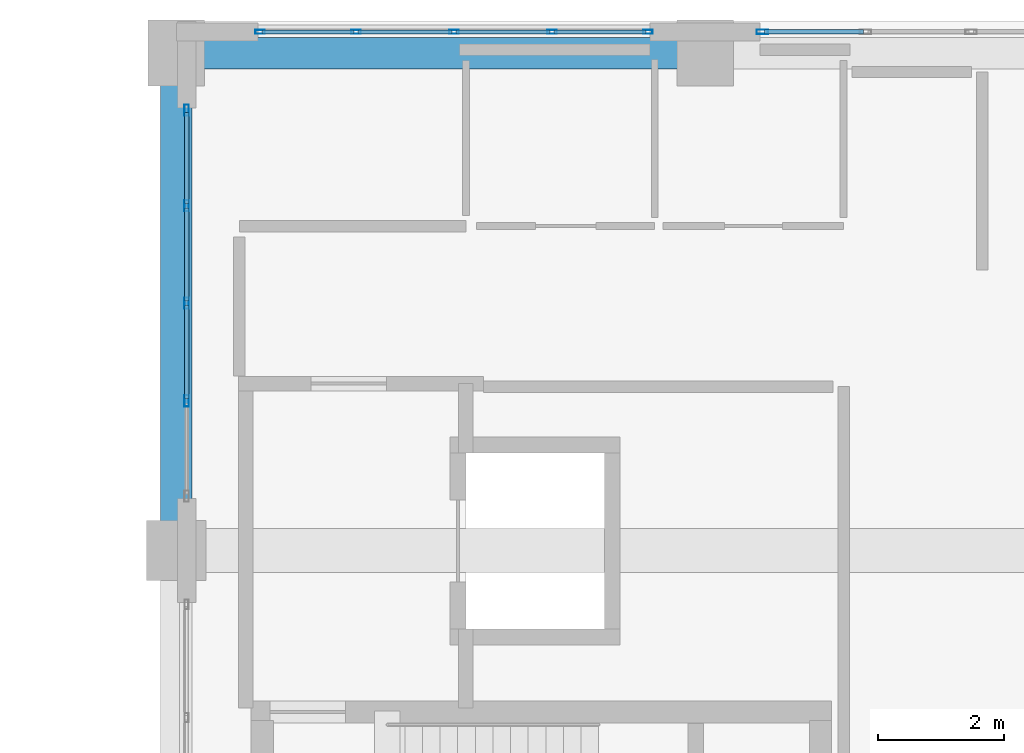
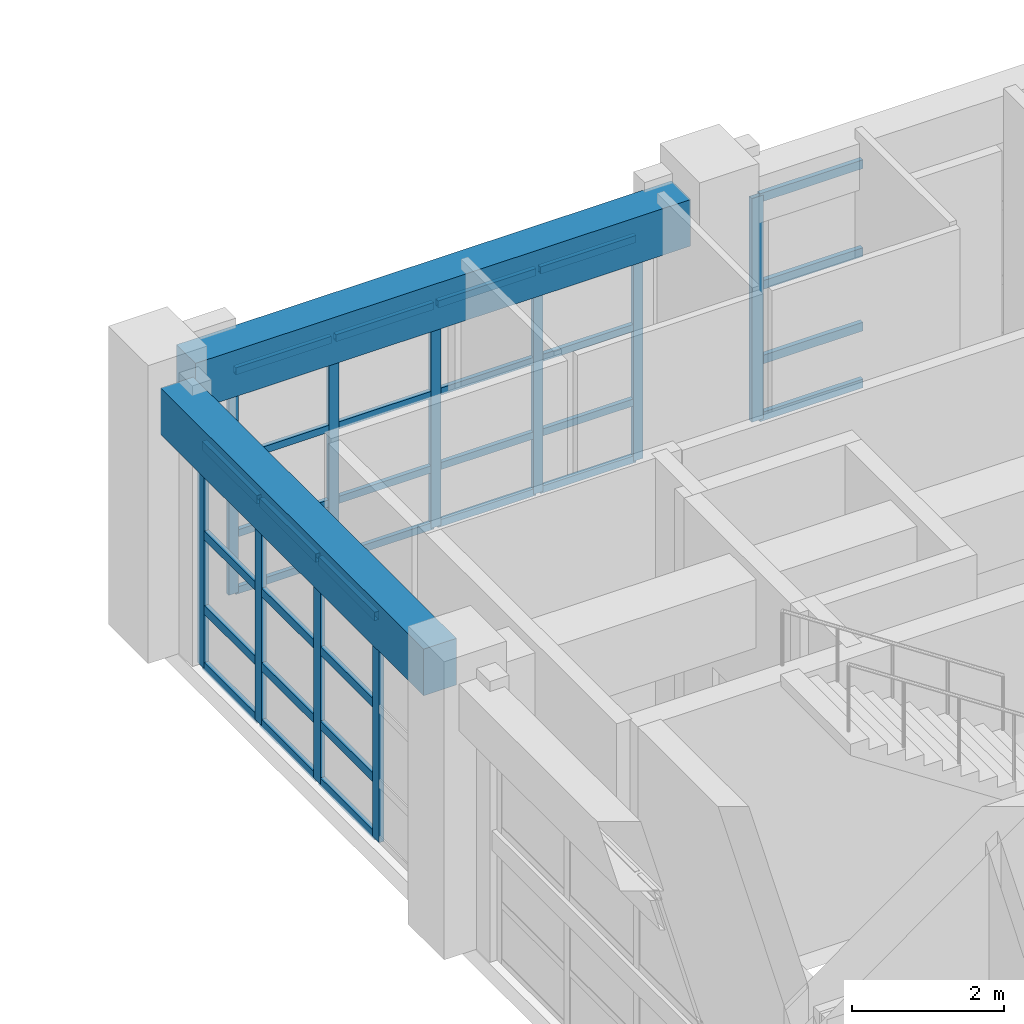
# One storey, part 45 of 123: 42 members, 2 beams, 3 elements without a shape of their own.
"""IFC4 building model written with IfcOpenShell, lengths in metres."""

from ifc_helpers import new_model, si_unit, direction, frame, origin, origin_2d, place, context, subcontext, project, spatial, rectangle, hollow_rectangle, extrude, material, layer, layer_set, material_profile, profile_set, type_object, element, aggregate, save


model = new_model("IFC4")

# Units and contexts
model_context = context("Model", 3, precision=1e-05, world=origin(), true_north=direction((0.0, 1.0)))
body_context = subcontext(model_context, "Body", "Model", "MODEL_VIEW")
ifc_project = project(units=[si_unit("LENGTHUNIT", "METRE"), si_unit("AREAUNIT", "SQUARE_METRE"), si_unit("VOLUMEUNIT", "CUBIC_METRE"), si_unit("PLANEANGLEUNIT", "RADIAN"), si_unit("MASSUNIT", "GRAM", prefix="KILO")], contexts=[model_context])

# Site, building, storey
site_placement = place(None, origin())
site = spatial("IfcSite", under=ifc_project, at=site_placement, CompositionType="ELEMENT")
building_placement = place(site_placement, origin())
building = spatial("IfcBuilding", under=site, at=building_placement, Name="Quendrovan Civic Courthouse", CompositionType="ELEMENT")
storey_placement = place(building_placement, frame((0.0, 0.0, 5.39990234375)))
storey = spatial("IfcBuildingStorey", under=building, at=storey_placement, Name="L02", CompositionType="ELEMENT", Elevation=5.39990234375)

# Beams
ifc_material_1 = material(Name="Concrete C40/50", Category="concrete")
ifc_material_profile_1 = material_profile(ifc_material_1, rectangle(XDim=0.5, YDim=0.75, at=origin_2d()), Name="RC-BM-500x750")
ifc_profile_set_1 = profile_set([ifc_material_profile_1], Name="Concrete C40/50")
beam_type = type_object("IfcBeamType", Name="BM-RC750", PredefinedType="SPANDREL", material=ifc_profile_set_1)
beam_1_placement = place(storey_placement, frame((34.030029296875, 109.89990234375, 3.985107421875), z_axis=(1.0, 0.0, 0.0), x_axis=(0.0, 1.0, 0.0)))
element("IfcBeam", 1, at=beam_1_placement, inside=storey, type_object=beam_type, Name="L02 Girder X0591", PredefinedType="SPANDREL", context=body_context, shape_type="SweptSolid", body=[
    extrude(rectangle(XDim=0.5, YDim=0.75, at=origin_2d()), origin(), (0.0, 0.0, 1.0), 7.5400390625),
])
beam_2_placement = place(storey_placement, frame((33.60009765625, 102.455078125, 3.985107421875), z_axis=(0.0, 1.0, 0.0), x_axis=(-1.0, 0.0, 0.0)))
element("IfcBeam", 2, at=beam_2_placement, inside=storey, type_object=beam_type, Name="L02 Girder Y0642", PredefinedType="SPANDREL", context=body_context, shape_type="SweptSolid", body=[
    extrude(rectangle(XDim=0.5, YDim=0.75, at=origin_2d()), origin(), (0.0, 0.0, 1.0), 6.93994140625),
])

# Curtain wall, members
ifc_material_2 = material(Name="Bronze anodised aluminium and low-E glass", Category="aluminium")
ifc_layer_1 = layer(ifc_material_2, 0.179931640625, Name="Bronze anodised aluminium and low-E glass")
ifc_layer_set_1 = layer_set([ifc_layer_1], Name="Bronze anodised aluminium and low-E glass")
curtain_wall_type_1 = type_object("IfcCurtainWallType", Name="CW-U62x36", PredefinedType="USERDEFINED", material=ifc_layer_set_1)
curtain_wall_1_placement = place(storey_placement, origin())
curtain_wall_1 = element("IfcCurtainWall", 3, at=curtain_wall_1_placement, inside=storey, type_object=curtain_wall_type_1, Name="L02 Unitised Hurricane Curtain Wall CW-080", ObjectType="UNITISED CURTAIN WALL", PredefinedType="USERDEFINED")
ifc_material_3 = material(Name="Bronze anodised aluminium", Category="aluminium")
ifc_material_profile_2 = material_profile(ifc_material_3, hollow_rectangle(XDim=0.070068359375, YDim=0.179931640625, WallThickness=0.00390625, at=origin_2d()), Name="CW-MULL-70x180")
ifc_profile_set_2 = profile_set([ifc_material_profile_2], Name="Bronze anodised aluminium")
member_type_1 = type_object("IfcMemberType", Name="CW-MULL-A", PredefinedType="MULLION", material=ifc_profile_set_2)
member_1_placement = place(storey_placement, frame((33.764892578125, 104.375, 0.0), z_axis=(0.0, 0.0, 1.0), x_axis=(-1.0, 0.0, 0.0)))
member_1 = element("IfcMember", 4, at=member_1_placement, type_object=member_type_1, Name="CW-080 mullion 2", PredefinedType="MULLION", context=body_context, shape_type="SweptSolid", body=[
    extrude(hollow_rectangle(XDim=0.070068359375, YDim=0.179931640625, WallThickness=0.00390625, at=origin_2d()), origin(), (0.0, 0.0, 1.0), 3.60009765625),
])
member_2_placement = place(storey_placement, frame((33.764892578125, 105.925048828125, 0.0), z_axis=(0.0, 0.0, 1.0), x_axis=(-1.0, 0.0, 0.0)))
member_2 = element("IfcMember", 5, at=member_2_placement, type_object=member_type_1, Name="CW-080 mullion 3", PredefinedType="MULLION", context=body_context, shape_type="SweptSolid", body=[
    extrude(hollow_rectangle(XDim=0.070068359375, YDim=0.179931640625, WallThickness=0.00390625, at=origin_2d()), origin(), (0.0, 0.0, 1.0), 3.60009765625),
])
member_3_placement = place(storey_placement, frame((33.764892578125, 107.47509765625, 0.0), z_axis=(0.0, 0.0, 1.0), x_axis=(-1.0, 0.0, 0.0)))
member_3 = element("IfcMember", 6, at=member_3_placement, type_object=member_type_1, Name="CW-080 mullion 4", PredefinedType="MULLION", context=body_context, shape_type="SweptSolid", body=[
    extrude(hollow_rectangle(XDim=0.070068359375, YDim=0.179931640625, WallThickness=0.00390625, at=origin_2d()), origin(), (0.0, 0.0, 1.0), 3.60009765625),
])
member_4_placement = place(storey_placement, frame((33.764892578125, 108.989990234375, 0.0), z_axis=(0.0, 0.0, 1.0), x_axis=(-1.0, 0.0, 0.0)))
member_4 = element("IfcMember", 7, at=member_4_placement, type_object=member_type_1, Name="CW-080 mullion 5", PredefinedType="MULLION", context=body_context, shape_type="SweptSolid", body=[
    extrude(hollow_rectangle(XDim=0.070068359375, YDim=0.179931640625, WallThickness=0.00390625, at=origin_2d()), origin(), (0.0, 0.0, 1.0), 3.60009765625),
])

# Curtain wall, member
ifc_layer_2 = layer(ifc_material_2, 0.179931640625, Name="Bronze anodised aluminium and low-E glass")
ifc_layer_set_2 = layer_set([ifc_layer_2], Name="Bronze anodised aluminium and low-E glass")
curtain_wall_type_2 = type_object("IfcCurtainWallType", Name="CW-U67x36", PredefinedType="USERDEFINED", material=ifc_layer_set_2)
curtain_wall_2_placement = place(storey_placement, origin())
curtain_wall_2 = element("IfcCurtainWall", 8, at=curtain_wall_2_placement, inside=storey, type_object=curtain_wall_type_2, Name="L02 Unitised Hurricane Curtain Wall CW-082", ObjectType="UNITISED CURTAIN WALL", PredefinedType="USERDEFINED")
member_5_placement = place(storey_placement, frame((42.909912109375, 110.235107421875, 0.0), z_axis=(0.0, 0.0, 1.0), x_axis=(0.0, 1.0, 0.0)))
member_5 = element("IfcMember", 9, at=member_5_placement, type_object=member_type_1, Name="CW-082 mullion 1", PredefinedType="MULLION", context=body_context, shape_type="SweptSolid", body=[
    extrude(hollow_rectangle(XDim=0.070068359375, YDim=0.179931640625, WallThickness=0.00390625, at=origin_2d()), origin(), (0.0, 0.0, 1.0), 3.60009765625),
])

# Curtain wall, members
curtain_wall_3_placement = place(storey_placement, origin())
curtain_wall_3 = element("IfcCurtainWall", 10, at=curtain_wall_3_placement, inside=storey, type_object=curtain_wall_type_1, Name="L02 Unitised Hurricane Curtain Wall CW-081", ObjectType="UNITISED CURTAIN WALL", PredefinedType="USERDEFINED")
ifc_material_profile_3 = material_profile(ifc_material_3, hollow_rectangle(XDim=0.06494140625, YDim=0.14990234375, WallThickness=0.00390625, at=origin_2d()), Name="CW-MULL-65x150")
ifc_profile_set_3 = profile_set([ifc_material_profile_3], Name="Bronze anodised aluminium")
member_type_2 = type_object("IfcMemberType", Name="CW-MULL-B", PredefinedType="MULLION", material=ifc_profile_set_3)
member_6_placement = place(storey_placement, frame((34.9326171875, 110.235107421875, 0.0), z_axis=(0.0, 0.0, 1.0), x_axis=(0.0, 1.0, 0.0)))
member_6 = element("IfcMember", 11, at=member_6_placement, type_object=member_type_2, Name="CW-081 mullion 1", PredefinedType="MULLION", context=body_context, shape_type="SweptSolid", body=[
    extrude(hollow_rectangle(XDim=0.06494140625, YDim=0.14990234375, WallThickness=0.00390625, at=origin_2d()), origin(), (0.0, 0.0, 1.0), 3.60009765625),
])
member_7_placement = place(storey_placement, frame((36.456298828125, 110.235107421875, 0.0), z_axis=(0.0, 0.0, 1.0), x_axis=(0.0, 1.0, 0.0)))
member_7 = element("IfcMember", 12, at=member_7_placement, type_object=member_type_2, Name="CW-081 mullion 2", PredefinedType="MULLION", context=body_context, shape_type="SweptSolid", body=[
    extrude(hollow_rectangle(XDim=0.06494140625, YDim=0.14990234375, WallThickness=0.00390625, at=origin_2d()), origin(), (0.0, 0.0, 1.0), 3.60009765625),
])
member_8_placement = place(storey_placement, frame((38.012451171875, 110.235107421875, 0.0), z_axis=(0.0, 0.0, 1.0), x_axis=(0.0, 1.0, 0.0)))
member_8 = element("IfcMember", 13, at=member_8_placement, type_object=member_type_2, Name="CW-081 mullion 3", PredefinedType="MULLION", context=body_context, shape_type="SweptSolid", body=[
    extrude(hollow_rectangle(XDim=0.06494140625, YDim=0.14990234375, WallThickness=0.00390625, at=origin_2d()), origin(), (0.0, 0.0, 1.0), 3.60009765625),
])
member_9_placement = place(storey_placement, frame((39.56884765625, 110.235107421875, 0.0), z_axis=(0.0, 0.0, 1.0), x_axis=(0.0, 1.0, 0.0)))
member_9 = element("IfcMember", 14, at=member_9_placement, type_object=member_type_2, Name="CW-081 mullion 4", PredefinedType="MULLION", context=body_context, shape_type="SweptSolid", body=[
    extrude(hollow_rectangle(XDim=0.06494140625, YDim=0.14990234375, WallThickness=0.00390625, at=origin_2d()), origin(), (0.0, 0.0, 1.0), 3.60009765625),
])
member_10_placement = place(storey_placement, frame((41.092529296875, 110.235107421875, 0.0), z_axis=(0.0, 0.0, 1.0), x_axis=(0.0, 1.0, 0.0)))
member_10 = element("IfcMember", 15, at=member_10_placement, type_object=member_type_2, Name="CW-081 mullion 5", PredefinedType="MULLION", context=body_context, shape_type="SweptSolid", body=[
    extrude(hollow_rectangle(XDim=0.06494140625, YDim=0.14990234375, WallThickness=0.00390625, at=origin_2d()), origin(), (0.0, 0.0, 1.0), 3.60009765625),
])

# Member
ifc_material_profile_4 = material_profile(ifc_material_3, hollow_rectangle(XDim=0.070068359375, YDim=0.139892578125, WallThickness=0.00390625, at=origin_2d()), Name="CW-TRAN-70x140")
ifc_profile_set_4 = profile_set([ifc_material_profile_4], Name="Bronze anodised aluminium")
member_type_3 = type_object("IfcMemberType", Name="CW-TRAN-A", PredefinedType="USERDEFINED", material=ifc_profile_set_4)
member_11_placement = place(storey_placement, frame((33.764892578125, 104.409912109375, 0.03515625), z_axis=(0.0, 1.0, 0.0), x_axis=(-1.0, 0.0, 0.0)))
member_11 = element("IfcMember", 16, at=member_11_placement, type_object=member_type_3, Name="CW-080 transom 2.1", ObjectType="TRANSOM", PredefinedType="USERDEFINED", context=body_context, shape_type="SweptSolid", body=[
    extrude(hollow_rectangle(XDim=0.070068359375, YDim=0.139892578125, WallThickness=0.00390625, at=origin_2d()), origin(), (0.0, 0.0, 1.0), 1.47998046875),
])

member_12_placement = place(storey_placement, frame((33.764892578125, 104.409912109375, 0.9501953125), z_axis=(0.0, 1.0, 0.0), x_axis=(-1.0, 0.0, 0.0)))
member_12 = element("IfcMember", 17, at=member_12_placement, type_object=member_type_3, Name="CW-080 transom 2.2", ObjectType="TRANSOM", PredefinedType="USERDEFINED", context=body_context, shape_type="SweptSolid", body=[
    extrude(hollow_rectangle(XDim=0.070068359375, YDim=0.139892578125, WallThickness=0.00390625, at=origin_2d()), origin(), (0.0, 0.0, 1.0), 1.47998046875),
])

member_13_placement = place(storey_placement, frame((33.764892578125, 104.409912109375, 2.150146484375), z_axis=(0.0, 1.0, 0.0), x_axis=(-1.0, 0.0, 0.0)))
member_13 = element("IfcMember", 18, at=member_13_placement, type_object=member_type_3, Name="CW-080 transom 2.3", ObjectType="TRANSOM", PredefinedType="USERDEFINED", context=body_context, shape_type="SweptSolid", body=[
    extrude(hollow_rectangle(XDim=0.070068359375, YDim=0.139892578125, WallThickness=0.00390625, at=origin_2d()), origin(), (0.0, 0.0, 1.0), 1.47998046875),
])

member_14_placement = place(storey_placement, frame((33.764892578125, 104.409912109375, 3.565185546875), z_axis=(0.0, 1.0, 0.0), x_axis=(-1.0, 0.0, 0.0)))
member_14 = element("IfcMember", 19, at=member_14_placement, type_object=member_type_3, Name="CW-080 transom 2.4", ObjectType="TRANSOM", PredefinedType="USERDEFINED", context=body_context, shape_type="SweptSolid", body=[
    extrude(hollow_rectangle(XDim=0.070068359375, YDim=0.139892578125, WallThickness=0.00390625, at=origin_2d()), origin(), (0.0, 0.0, 1.0), 1.47998046875),
])

member_15_placement = place(storey_placement, frame((33.764892578125, 105.9599609375, 0.03515625), z_axis=(0.0, 1.0, 0.0), x_axis=(-1.0, 0.0, 0.0)))
member_15 = element("IfcMember", 20, at=member_15_placement, type_object=member_type_3, Name="CW-080 transom 3.1", ObjectType="TRANSOM", PredefinedType="USERDEFINED", context=body_context, shape_type="SweptSolid", body=[
    extrude(hollow_rectangle(XDim=0.070068359375, YDim=0.139892578125, WallThickness=0.00390625, at=origin_2d()), origin(), (0.0, 0.0, 1.0), 1.47998046875),
])

member_16_placement = place(storey_placement, frame((33.764892578125, 105.9599609375, 0.9501953125), z_axis=(0.0, 1.0, 0.0), x_axis=(-1.0, 0.0, 0.0)))
member_16 = element("IfcMember", 21, at=member_16_placement, type_object=member_type_3, Name="CW-080 transom 3.2", ObjectType="TRANSOM", PredefinedType="USERDEFINED", context=body_context, shape_type="SweptSolid", body=[
    extrude(hollow_rectangle(XDim=0.070068359375, YDim=0.139892578125, WallThickness=0.00390625, at=origin_2d()), origin(), (0.0, 0.0, 1.0), 1.47998046875),
])

member_17_placement = place(storey_placement, frame((33.764892578125, 105.9599609375, 2.150146484375), z_axis=(0.0, 1.0, 0.0), x_axis=(-1.0, 0.0, 0.0)))
member_17 = element("IfcMember", 22, at=member_17_placement, type_object=member_type_3, Name="CW-080 transom 3.3", ObjectType="TRANSOM", PredefinedType="USERDEFINED", context=body_context, shape_type="SweptSolid", body=[
    extrude(hollow_rectangle(XDim=0.070068359375, YDim=0.139892578125, WallThickness=0.00390625, at=origin_2d()), origin(), (0.0, 0.0, 1.0), 1.47998046875),
])

member_18_placement = place(storey_placement, frame((33.764892578125, 105.9599609375, 3.565185546875), z_axis=(0.0, 1.0, 0.0), x_axis=(-1.0, 0.0, 0.0)))
member_18 = element("IfcMember", 23, at=member_18_placement, type_object=member_type_3, Name="CW-080 transom 3.4", ObjectType="TRANSOM", PredefinedType="USERDEFINED", context=body_context, shape_type="SweptSolid", body=[
    extrude(hollow_rectangle(XDim=0.070068359375, YDim=0.139892578125, WallThickness=0.00390625, at=origin_2d()), origin(), (0.0, 0.0, 1.0), 1.47998046875),
])

member_19_placement = place(storey_placement, frame((33.764892578125, 107.510009765625, 0.03515625), z_axis=(0.0, 1.0, 0.0), x_axis=(-1.0, 0.0, 0.0)))
member_19 = element("IfcMember", 24, at=member_19_placement, type_object=member_type_3, Name="CW-080 transom 4.1", ObjectType="TRANSOM", PredefinedType="USERDEFINED", context=body_context, shape_type="SweptSolid", body=[
    extrude(hollow_rectangle(XDim=0.070068359375, YDim=0.139892578125, WallThickness=0.00390625, at=origin_2d()), origin(), (0.0, 0.0, 1.0), 1.445068359375),
])

member_20_placement = place(storey_placement, frame((33.764892578125, 107.510009765625, 0.9501953125), z_axis=(0.0, 1.0, 0.0), x_axis=(-1.0, 0.0, 0.0)))
member_20 = element("IfcMember", 25, at=member_20_placement, type_object=member_type_3, Name="CW-080 transom 4.2", ObjectType="TRANSOM", PredefinedType="USERDEFINED", context=body_context, shape_type="SweptSolid", body=[
    extrude(hollow_rectangle(XDim=0.070068359375, YDim=0.139892578125, WallThickness=0.00390625, at=origin_2d()), origin(), (0.0, 0.0, 1.0), 1.445068359375),
])

member_21_placement = place(storey_placement, frame((33.764892578125, 107.510009765625, 2.150146484375), z_axis=(0.0, 1.0, 0.0), x_axis=(-1.0, 0.0, 0.0)))
member_21 = element("IfcMember", 26, at=member_21_placement, type_object=member_type_3, Name="CW-080 transom 4.3", ObjectType="TRANSOM", PredefinedType="USERDEFINED", context=body_context, shape_type="SweptSolid", body=[
    extrude(hollow_rectangle(XDim=0.070068359375, YDim=0.139892578125, WallThickness=0.00390625, at=origin_2d()), origin(), (0.0, 0.0, 1.0), 1.445068359375),
])

member_22_placement = place(storey_placement, frame((33.764892578125, 107.510009765625, 3.565185546875), z_axis=(0.0, 1.0, 0.0), x_axis=(-1.0, 0.0, 0.0)))
member_22 = element("IfcMember", 27, at=member_22_placement, type_object=member_type_3, Name="CW-080 transom 4.4", ObjectType="TRANSOM", PredefinedType="USERDEFINED", context=body_context, shape_type="SweptSolid", body=[
    extrude(hollow_rectangle(XDim=0.070068359375, YDim=0.139892578125, WallThickness=0.00390625, at=origin_2d()), origin(), (0.0, 0.0, 1.0), 1.445068359375),
])

aggregate(curtain_wall_1, [member_1, member_2, member_3, member_4, member_11, member_12, member_13, member_14, member_15, member_16, member_17, member_18, member_19, member_20, member_21, member_22])

member_23_placement = place(storey_placement, frame((42.945068359375, 110.235107421875, 0.03515625), z_axis=(1.0, 0.0, 0.0), x_axis=(0.0, 1.0, 0.0)))
member_23 = element("IfcMember", 28, at=member_23_placement, type_object=member_type_3, Name="CW-082 transom 1.1", ObjectType="TRANSOM", PredefinedType="USERDEFINED", context=body_context, shape_type="SweptSolid", body=[
    extrude(hollow_rectangle(XDim=0.070068359375, YDim=0.139892578125, WallThickness=0.00390625, at=origin_2d()), origin(), (0.0, 0.0, 1.0), 1.56982421875),
])

member_24_placement = place(storey_placement, frame((42.945068359375, 110.235107421875, 0.9501953125), z_axis=(1.0, 0.0, 0.0), x_axis=(0.0, 1.0, 0.0)))
member_24 = element("IfcMember", 29, at=member_24_placement, type_object=member_type_3, Name="CW-082 transom 1.2", ObjectType="TRANSOM", PredefinedType="USERDEFINED", context=body_context, shape_type="SweptSolid", body=[
    extrude(hollow_rectangle(XDim=0.070068359375, YDim=0.139892578125, WallThickness=0.00390625, at=origin_2d()), origin(), (0.0, 0.0, 1.0), 1.56982421875),
])

member_25_placement = place(storey_placement, frame((42.945068359375, 110.235107421875, 2.150146484375), z_axis=(1.0, 0.0, 0.0), x_axis=(0.0, 1.0, 0.0)))
member_25 = element("IfcMember", 30, at=member_25_placement, type_object=member_type_3, Name="CW-082 transom 1.3", ObjectType="TRANSOM", PredefinedType="USERDEFINED", context=body_context, shape_type="SweptSolid", body=[
    extrude(hollow_rectangle(XDim=0.070068359375, YDim=0.139892578125, WallThickness=0.00390625, at=origin_2d()), origin(), (0.0, 0.0, 1.0), 1.56982421875),
])

member_26_placement = place(storey_placement, frame((42.945068359375, 110.235107421875, 3.565185546875), z_axis=(1.0, 0.0, 0.0), x_axis=(0.0, 1.0, 0.0)))
member_26 = element("IfcMember", 31, at=member_26_placement, type_object=member_type_3, Name="CW-082 transom 1.4", ObjectType="TRANSOM", PredefinedType="USERDEFINED", context=body_context, shape_type="SweptSolid", body=[
    extrude(hollow_rectangle(XDim=0.070068359375, YDim=0.139892578125, WallThickness=0.00390625, at=origin_2d()), origin(), (0.0, 0.0, 1.0), 1.56982421875),
])

aggregate(curtain_wall_2, [member_5, member_23, member_24, member_25, member_26])

ifc_material_profile_5 = material_profile(ifc_material_3, hollow_rectangle(XDim=0.06494140625, YDim=0.114990234375, WallThickness=0.00390625, at=origin_2d()), Name="CW-TRAN-65x115")
ifc_profile_set_5 = profile_set([ifc_material_profile_5], Name="Bronze anodised aluminium")
member_type_4 = type_object("IfcMemberType", Name="CW-TRAN-B", PredefinedType="USERDEFINED", material=ifc_profile_set_5)
member_27_placement = place(storey_placement, frame((34.965087890625, 110.235107421875, 0.03271484375), z_axis=(1.0, 0.0, 0.0), x_axis=(0.0, 1.0, 0.0)))
member_27 = element("IfcMember", 32, at=member_27_placement, type_object=member_type_4, Name="CW-081 transom 1.1", ObjectType="TRANSOM", PredefinedType="USERDEFINED", context=body_context, shape_type="SweptSolid", body=[
    extrude(hollow_rectangle(XDim=0.06494140625, YDim=0.114990234375, WallThickness=0.00390625, at=origin_2d()), origin(), (0.0, 0.0, 1.0), 1.458740234375),
])

member_28_placement = place(storey_placement, frame((34.965087890625, 110.235107421875, 0.9501953125), z_axis=(1.0, 0.0, 0.0), x_axis=(0.0, 1.0, 0.0)))
member_28 = element("IfcMember", 33, at=member_28_placement, type_object=member_type_4, Name="CW-081 transom 1.2", ObjectType="TRANSOM", PredefinedType="USERDEFINED", context=body_context, shape_type="SweptSolid", body=[
    extrude(hollow_rectangle(XDim=0.06494140625, YDim=0.114990234375, WallThickness=0.00390625, at=origin_2d()), origin(), (0.0, 0.0, 1.0), 1.458740234375),
])

member_29_placement = place(storey_placement, frame((34.965087890625, 110.235107421875, 2.150146484375), z_axis=(1.0, 0.0, 0.0), x_axis=(0.0, 1.0, 0.0)))
member_29 = element("IfcMember", 34, at=member_29_placement, type_object=member_type_4, Name="CW-081 transom 1.3", ObjectType="TRANSOM", PredefinedType="USERDEFINED", context=body_context, shape_type="SweptSolid", body=[
    extrude(hollow_rectangle(XDim=0.06494140625, YDim=0.114990234375, WallThickness=0.00390625, at=origin_2d()), origin(), (0.0, 0.0, 1.0), 1.458740234375),
])

member_30_placement = place(storey_placement, frame((34.965087890625, 110.235107421875, 3.567626953125), z_axis=(1.0, 0.0, 0.0), x_axis=(0.0, 1.0, 0.0)))
member_30 = element("IfcMember", 35, at=member_30_placement, type_object=member_type_4, Name="CW-081 transom 1.4", ObjectType="TRANSOM", PredefinedType="USERDEFINED", context=body_context, shape_type="SweptSolid", body=[
    extrude(hollow_rectangle(XDim=0.06494140625, YDim=0.114990234375, WallThickness=0.00390625, at=origin_2d()), origin(), (0.0, 0.0, 1.0), 1.458740234375),
])

member_31_placement = place(storey_placement, frame((36.48876953125, 110.235107421875, 0.03271484375), z_axis=(1.0, 0.0, 0.0), x_axis=(0.0, 1.0, 0.0)))
member_31 = element("IfcMember", 36, at=member_31_placement, type_object=member_type_4, Name="CW-081 transom 2.1", ObjectType="TRANSOM", PredefinedType="USERDEFINED", context=body_context, shape_type="SweptSolid", body=[
    extrude(hollow_rectangle(XDim=0.06494140625, YDim=0.114990234375, WallThickness=0.00390625, at=origin_2d()), origin(), (0.0, 0.0, 1.0), 1.4912109375),
])

member_32_placement = place(storey_placement, frame((36.48876953125, 110.235107421875, 0.9501953125), z_axis=(1.0, 0.0, 0.0), x_axis=(0.0, 1.0, 0.0)))
member_32 = element("IfcMember", 37, at=member_32_placement, type_object=member_type_4, Name="CW-081 transom 2.2", ObjectType="TRANSOM", PredefinedType="USERDEFINED", context=body_context, shape_type="SweptSolid", body=[
    extrude(hollow_rectangle(XDim=0.06494140625, YDim=0.114990234375, WallThickness=0.00390625, at=origin_2d()), origin(), (0.0, 0.0, 1.0), 1.4912109375),
])

member_33_placement = place(storey_placement, frame((36.48876953125, 110.235107421875, 2.150146484375), z_axis=(1.0, 0.0, 0.0), x_axis=(0.0, 1.0, 0.0)))
member_33 = element("IfcMember", 38, at=member_33_placement, type_object=member_type_4, Name="CW-081 transom 2.3", ObjectType="TRANSOM", PredefinedType="USERDEFINED", context=body_context, shape_type="SweptSolid", body=[
    extrude(hollow_rectangle(XDim=0.06494140625, YDim=0.114990234375, WallThickness=0.00390625, at=origin_2d()), origin(), (0.0, 0.0, 1.0), 1.4912109375),
])

member_34_placement = place(storey_placement, frame((36.48876953125, 110.235107421875, 3.567626953125), z_axis=(1.0, 0.0, 0.0), x_axis=(0.0, 1.0, 0.0)))
member_34 = element("IfcMember", 39, at=member_34_placement, type_object=member_type_4, Name="CW-081 transom 2.4", ObjectType="TRANSOM", PredefinedType="USERDEFINED", context=body_context, shape_type="SweptSolid", body=[
    extrude(hollow_rectangle(XDim=0.06494140625, YDim=0.114990234375, WallThickness=0.00390625, at=origin_2d()), origin(), (0.0, 0.0, 1.0), 1.4912109375),
])

member_35_placement = place(storey_placement, frame((38.044921875, 110.235107421875, 0.03271484375), z_axis=(1.0, 0.0, 0.0), x_axis=(0.0, 1.0, 0.0)))
member_35 = element("IfcMember", 40, at=member_35_placement, type_object=member_type_4, Name="CW-081 transom 3.1", ObjectType="TRANSOM", PredefinedType="USERDEFINED", context=body_context, shape_type="SweptSolid", body=[
    extrude(hollow_rectangle(XDim=0.06494140625, YDim=0.114990234375, WallThickness=0.00390625, at=origin_2d()), origin(), (0.0, 0.0, 1.0), 1.4912109375),
])

member_36_placement = place(storey_placement, frame((38.044921875, 110.235107421875, 0.9501953125), z_axis=(1.0, 0.0, 0.0), x_axis=(0.0, 1.0, 0.0)))
member_36 = element("IfcMember", 41, at=member_36_placement, type_object=member_type_4, Name="CW-081 transom 3.2", ObjectType="TRANSOM", PredefinedType="USERDEFINED", context=body_context, shape_type="SweptSolid", body=[
    extrude(hollow_rectangle(XDim=0.06494140625, YDim=0.114990234375, WallThickness=0.00390625, at=origin_2d()), origin(), (0.0, 0.0, 1.0), 1.4912109375),
])

member_37_placement = place(storey_placement, frame((38.044921875, 110.235107421875, 2.150146484375), z_axis=(1.0, 0.0, 0.0), x_axis=(0.0, 1.0, 0.0)))
member_37 = element("IfcMember", 42, at=member_37_placement, type_object=member_type_4, Name="CW-081 transom 3.3", ObjectType="TRANSOM", PredefinedType="USERDEFINED", context=body_context, shape_type="SweptSolid", body=[
    extrude(hollow_rectangle(XDim=0.06494140625, YDim=0.114990234375, WallThickness=0.00390625, at=origin_2d()), origin(), (0.0, 0.0, 1.0), 1.4912109375),
])

member_38_placement = place(storey_placement, frame((38.044921875, 110.235107421875, 3.567626953125), z_axis=(1.0, 0.0, 0.0), x_axis=(0.0, 1.0, 0.0)))
member_38 = element("IfcMember", 43, at=member_38_placement, type_object=member_type_4, Name="CW-081 transom 3.4", ObjectType="TRANSOM", PredefinedType="USERDEFINED", context=body_context, shape_type="SweptSolid", body=[
    extrude(hollow_rectangle(XDim=0.06494140625, YDim=0.114990234375, WallThickness=0.00390625, at=origin_2d()), origin(), (0.0, 0.0, 1.0), 1.4912109375),
])

member_39_placement = place(storey_placement, frame((39.601318359375, 110.235107421875, 0.03271484375), z_axis=(1.0, 0.0, 0.0), x_axis=(0.0, 1.0, 0.0)))
member_39 = element("IfcMember", 44, at=member_39_placement, type_object=member_type_4, Name="CW-081 transom 4.1", ObjectType="TRANSOM", PredefinedType="USERDEFINED", context=body_context, shape_type="SweptSolid", body=[
    extrude(hollow_rectangle(XDim=0.06494140625, YDim=0.114990234375, WallThickness=0.00390625, at=origin_2d()), origin(), (0.0, 0.0, 1.0), 1.458740234375),
])

member_40_placement = place(storey_placement, frame((39.601318359375, 110.235107421875, 0.9501953125), z_axis=(1.0, 0.0, 0.0), x_axis=(0.0, 1.0, 0.0)))
member_40 = element("IfcMember", 45, at=member_40_placement, type_object=member_type_4, Name="CW-081 transom 4.2", ObjectType="TRANSOM", PredefinedType="USERDEFINED", context=body_context, shape_type="SweptSolid", body=[
    extrude(hollow_rectangle(XDim=0.06494140625, YDim=0.114990234375, WallThickness=0.00390625, at=origin_2d()), origin(), (0.0, 0.0, 1.0), 1.458740234375),
])

member_41_placement = place(storey_placement, frame((39.601318359375, 110.235107421875, 2.150146484375), z_axis=(1.0, 0.0, 0.0), x_axis=(0.0, 1.0, 0.0)))
member_41 = element("IfcMember", 46, at=member_41_placement, type_object=member_type_4, Name="CW-081 transom 4.3", ObjectType="TRANSOM", PredefinedType="USERDEFINED", context=body_context, shape_type="SweptSolid", body=[
    extrude(hollow_rectangle(XDim=0.06494140625, YDim=0.114990234375, WallThickness=0.00390625, at=origin_2d()), origin(), (0.0, 0.0, 1.0), 1.458740234375),
])

member_42_placement = place(storey_placement, frame((39.601318359375, 110.235107421875, 3.567626953125), z_axis=(1.0, 0.0, 0.0), x_axis=(0.0, 1.0, 0.0)))
member_42 = element("IfcMember", 47, at=member_42_placement, type_object=member_type_4, Name="CW-081 transom 4.4", ObjectType="TRANSOM", PredefinedType="USERDEFINED", context=body_context, shape_type="SweptSolid", body=[
    extrude(hollow_rectangle(XDim=0.06494140625, YDim=0.114990234375, WallThickness=0.00390625, at=origin_2d()), origin(), (0.0, 0.0, 1.0), 1.458740234375),
])

aggregate(curtain_wall_3, [member_6, member_7, member_8, member_9, member_10, member_27, member_28, member_29, member_30, member_31, member_32, member_33, member_34, member_35, member_36, member_37, member_38, member_39, member_40, member_41, member_42])

save(model, "model.ifc")
